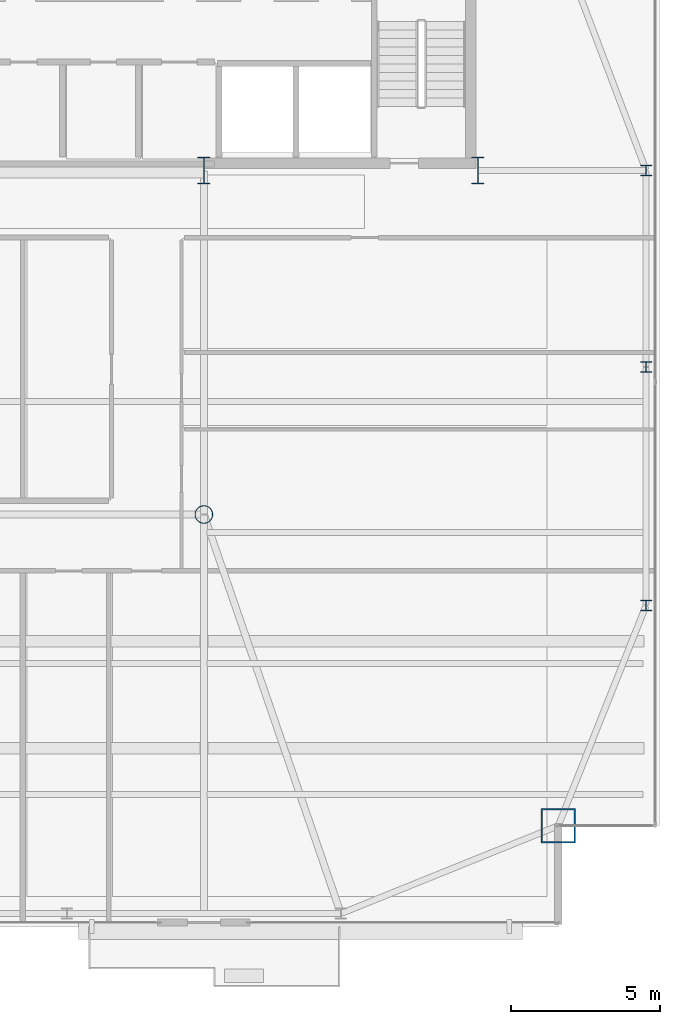
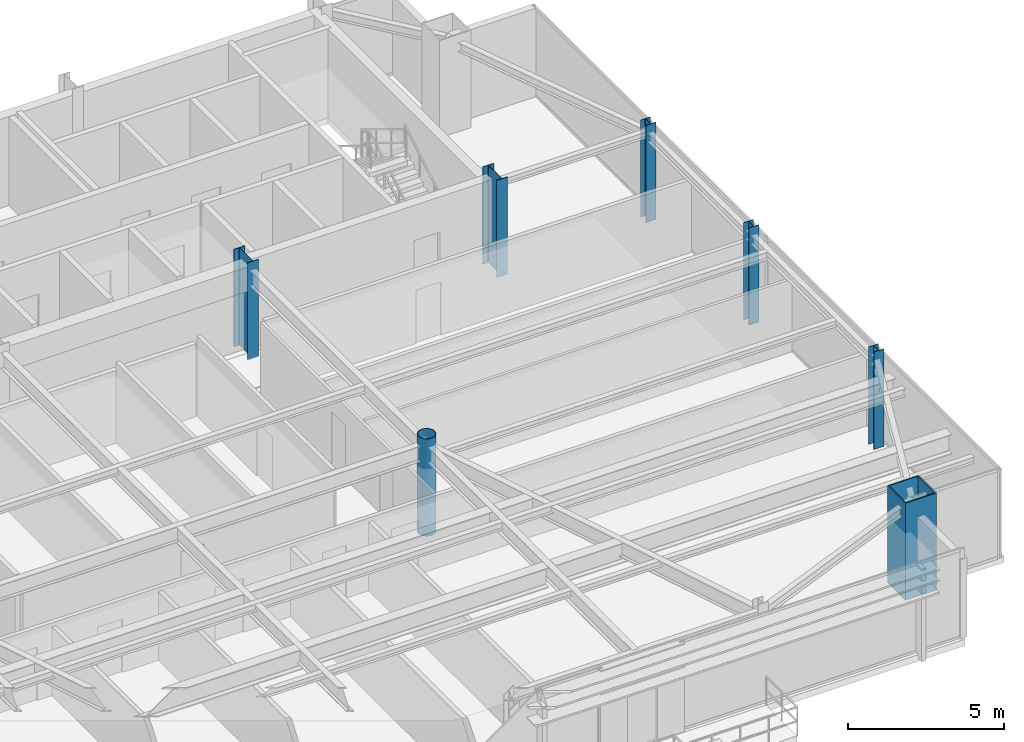
# One storey, part 2 of 28: 7 columns.
"""IFC4 building model written with IfcOpenShell, lengths in metres."""

from ifc_helpers import new_model, si_unit, direction, frame, origin, origin_2d, place, context, subcontext, project, spatial, hollow_rectangle, hollow_circle, i_section, extrude, source, transform, mapped, material, material_profile, profile_set, type_object, type_shapes, element, save


model = new_model("IFC4")

# Units and contexts
model_context = context("Model", 3, precision=1e-05, world=origin(), true_north=direction((0.0, 1.0)))
body_context = subcontext(model_context, "Body", "Model", "MODEL_VIEW")
ifc_project = project(units=[si_unit("LENGTHUNIT", "METRE"), si_unit("AREAUNIT", "SQUARE_METRE"), si_unit("VOLUMEUNIT", "CUBIC_METRE"), si_unit("PLANEANGLEUNIT", "RADIAN"), si_unit("MASSUNIT", "GRAM", prefix="KILO")], contexts=[model_context])

# Site, building, storey
site_placement = place(None, origin())
site = spatial("IfcSite", under=ifc_project, at=site_placement, CompositionType="ELEMENT")
building_placement = place(site_placement, origin())
building = spatial("IfcBuilding", under=site, at=building_placement, Name="Varnel Quay Broadcast Tower", CompositionType="ELEMENT")
storey_placement = place(building_placement, frame((0.0, 0.0, 230.199951171875)))
storey = spatial("IfcBuildingStorey", under=building, at=storey_placement, Name="L57", CompositionType="ELEMENT", Elevation=230.199951171875)

# Columns
ifc_material_1 = material(Name="Structural Steel CSA G40.21 350WT", Category="steel")
ifc_material_profile_1 = material_profile(ifc_material_1, i_section(OverallWidth=0.39990234375, OverallDepth=0.89990234375, WebThickness=0.01611328125, FlangeThickness=0.028076171875, FilletRadius=0.01611328125, at=origin_2d()), Name="WWF900X309")
ifc_profile_set_1 = profile_set([ifc_material_profile_1], Name="Structural Steel CSA G40.21 350WT")
column_type_1 = type_object("IfcColumnType", Name="Col_WWF900X309", PredefinedType="COLUMN", material=ifc_profile_set_1)
shared_shape_1 = source(origin(), body_context, "Body", "SweptSolid", [
    extrude(i_section(OverallWidth=0.39990234375, OverallDepth=0.89990234375, WebThickness=0.01611328125, FlangeThickness=0.028076171875, FilletRadius=0.01611328125, at=origin_2d()), origin(), (0.0, 0.0, 1.0), 3.800048828125),
])
type_shapes(column_type_1, [shared_shape_1])
for number, where, z_axis, x_axis, name in (
    (1, (43.199951171875, 35.60009765625, 0.0), (0.0, 0.0, 1.0), (1.0, 0.0, 0.0), "L57 Column CC-S4"),
    (2, (52.39990234375, 35.60009765625, 0.0), (0.0, 0.0, 1.0), (1.0, 0.0, 0.0), "L57 Column CC-S5"),
):
    element("IfcColumn", number, at=place(storey_placement, frame(where, z_axis=z_axis, x_axis=x_axis)), inside=storey, type_object=column_type_1, Name=name, PredefinedType="COLUMN", context=body_context, shape_type="MappedRepresentation", body=[
        mapped(shared_shape_1, transform((0.0, 0.0, 0.0), x_axis=(1.0, 0.0, 0.0), y_axis=(0.0, 1.0, 0.0), z_axis=(0.0, 0.0, 1.0), scale=1.0)),
    ])
ifc_material_profile_2 = material_profile(ifc_material_1, hollow_rectangle(XDim=1.14990234375, YDim=1.14990234375, WallThickness=0.044921875, at=origin_2d()), Name="BOX1150X1150X45")
ifc_profile_set_2 = profile_set([ifc_material_profile_2], Name="Structural Steel CSA G40.21 350WT")
column_type_2 = type_object("IfcColumnType", Name="Col_BOX1150X1150X45", PredefinedType="COLUMN", material=ifc_profile_set_2)
shared_shape_2 = source(origin(), body_context, "Body", "SweptSolid", [
    extrude(hollow_rectangle(XDim=1.14990234375, YDim=1.14990234375, WallThickness=0.044921875, at=origin_2d()), origin(), (0.0, 0.0, 1.0), 3.800048828125),
])
type_shapes(column_type_2, [shared_shape_2])
column_1_placement = place(storey_placement, frame((55.10009765625, 13.60009765625, 0.0), z_axis=(0.0, 0.0, 1.0), x_axis=(1.0, 0.0, 0.0)))
element("IfcColumn", 3, at=column_1_placement, inside=storey, type_object=column_type_2, Name="L57 Column MC-SE", PredefinedType="COLUMN", context=body_context, shape_type="MappedRepresentation", body=[
    mapped(shared_shape_2, transform((0.0, 0.0, 0.0), x_axis=(1.0, 0.0, 0.0), y_axis=(0.0, 1.0, 0.0), z_axis=(0.0, 0.0, 1.0), scale=1.0)),
])
ifc_material_2 = material(Name="Structural Steel CSA G40.21 350W", Category="steel")
ifc_material_profile_3 = material_profile(ifc_material_2, i_section(OverallWidth=0.368896484375, OverallDepth=0.35595703125, WebThickness=0.01123046875, FlangeThickness=0.01806640625, FilletRadius=0.01611328125, at=origin_2d()), Name="W360X134")
ifc_profile_set_3 = profile_set([ifc_material_profile_3], Name="Structural Steel CSA G40.21 350W")
column_type_3 = type_object("IfcColumnType", Name="Col_W360X134", PredefinedType="COLUMN", material=ifc_profile_set_3)
shared_shape_3 = source(origin(), body_context, "Body", "SweptSolid", [
    extrude(i_section(OverallWidth=0.368896484375, OverallDepth=0.35595703125, WebThickness=0.01123046875, FlangeThickness=0.01806640625, FilletRadius=0.01611328125, at=origin_2d()), origin(), (0.0, 0.0, 1.0), 3.800048828125),
])
type_shapes(column_type_3, [shared_shape_3])
for number, where, z_axis, x_axis, name in (
    (4, (58.050048828125, 21.0, 0.0), (0.0, 0.0, 1.0), (1.0, 0.0, 0.0), "L57 Column TC-E1"),
    (5, (58.050048828125, 29.0, 0.0), (0.0, 0.0, 1.0), (1.0, 0.0, 0.0), "L57 Column TC-E2"),
    (6, (58.050048828125, 35.60009765625, 0.0), (0.0, 0.0, 1.0), (1.0, 0.0, 0.0), "L57 Column TC-E3"),
):
    element("IfcColumn", number, at=place(storey_placement, frame(where, z_axis=z_axis, x_axis=x_axis)), inside=storey, type_object=column_type_3, Name=name, PredefinedType="COLUMN", context=body_context, shape_type="MappedRepresentation", body=[
        mapped(shared_shape_3, transform((0.0, 0.0, 0.0), x_axis=(1.0, 0.0, 0.0), y_axis=(0.0, 1.0, 0.0), z_axis=(0.0, 0.0, 1.0), scale=1.0)),
    ])
ifc_material_profile_4 = material_profile(ifc_material_2, hollow_circle(Radius=0.304931640625, WallThickness=0.02490234375, at=origin_2d()), Name="CHS610X25")
ifc_profile_set_4 = profile_set([ifc_material_profile_4], Name="Structural Steel CSA G40.21 350W")
column_type_4 = type_object("IfcColumnType", Name="Col_CHS610X25", PredefinedType="COLUMN", material=ifc_profile_set_4)
shared_shape_4 = source(origin(), body_context, "Body", "SweptSolid", [
    extrude(hollow_circle(Radius=0.304931640625, WallThickness=0.02490234375, at=origin_2d()), origin(), (0.0, 0.0, 1.0), 3.800048828125),
])
type_shapes(column_type_4, [shared_shape_4])
column_2_placement = place(storey_placement, frame((43.199951171875, 24.050048828125, 0.0), z_axis=(0.0, 0.0, 1.0), x_axis=(1.0, 0.0, 0.0)))
element("IfcColumn", 7, at=column_2_placement, inside=storey, type_object=column_type_4, Name="L57 Column IC-02", PredefinedType="COLUMN", context=body_context, shape_type="MappedRepresentation", body=[
    mapped(shared_shape_4, transform((0.0, 0.0, 0.0), x_axis=(1.0, 0.0, 0.0), y_axis=(0.0, 1.0, 0.0), z_axis=(0.0, 0.0, 1.0), scale=1.0)),
])

save(model, "model.ifc")
